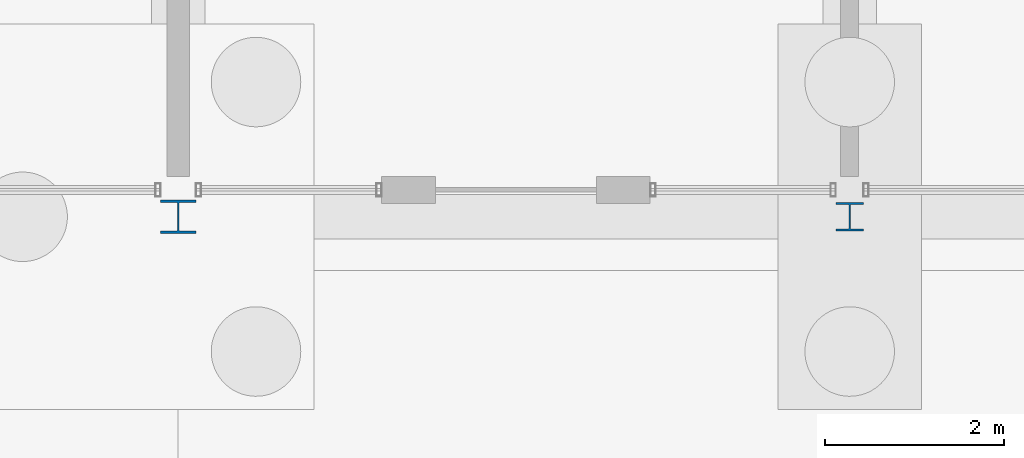
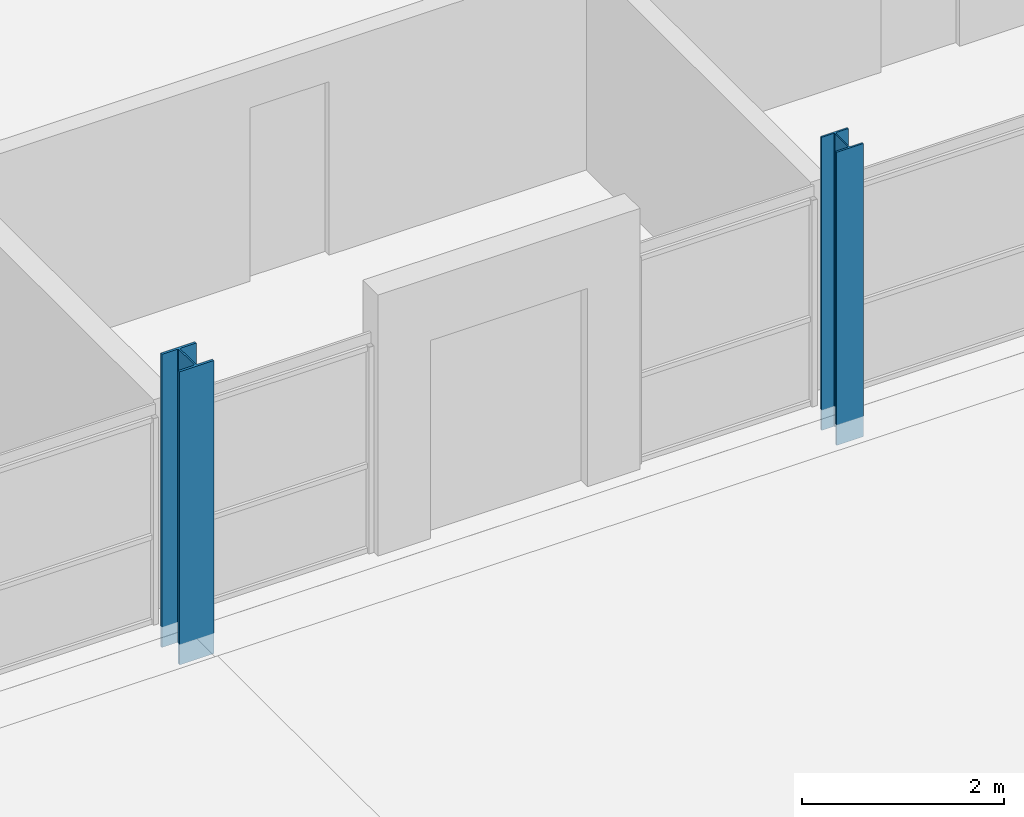
# One storey, part 33 of 130: 2 columns.
"""IFC4 building model written with IfcOpenShell, lengths in metres."""

from ifc_helpers import new_model, si_unit, direction, frame, origin, origin_2d, place, context, subcontext, project, spatial, i_section, extrude, material, material_profile, profile_set, type_object, element, save


model = new_model("IFC4")

# Units and contexts
model_context = context("Model", 3, precision=1e-05, world=origin(), true_north=direction((0.0, 1.0)))
body_context = subcontext(model_context, "Body", "Model", "MODEL_VIEW")
ifc_project = project(units=[si_unit("LENGTHUNIT", "METRE"), si_unit("AREAUNIT", "SQUARE_METRE"), si_unit("VOLUMEUNIT", "CUBIC_METRE"), si_unit("PLANEANGLEUNIT", "RADIAN"), si_unit("MASSUNIT", "GRAM", prefix="KILO")], contexts=[model_context])

# Site, building, storey
site_placement = place(None, origin())
site = spatial("IfcSite", under=ifc_project, at=site_placement, CompositionType="ELEMENT")
building_placement = place(site_placement, origin())
building = spatial("IfcBuilding", under=site, at=building_placement, Name="Parallax Yard Mobility Hub", CompositionType="ELEMENT")
storey_placement = place(building_placement, origin())
storey = spatial("IfcBuildingStorey", under=building, at=storey_placement, Name="L00", CompositionType="ELEMENT", Elevation=0.0)

# Columns
ifc_material = material(Name="Steel ASTM A992", Category="steel")
ifc_material_profile_1 = material_profile(ifc_material, i_section(OverallWidth=0.306884765625, OverallDepth=0.318115234375, WebThickness=0.01318359375, FlangeThickness=0.0205078125, FilletRadius=0.01513671875, at=origin_2d()), Name="W310x129")
ifc_profile_set_1 = profile_set([ifc_material_profile_1], Name="Steel ASTM A992")
column_type_1 = type_object("IfcColumnType", Name="W310x129 column", PredefinedType="COLUMN", material=ifc_profile_set_1)
column_1_placement = place(storey_placement, frame((157.5, 112.5, -0.25), z_axis=(0.0, 0.0, 1.0), x_axis=(1.0, 0.0, 0.0)))
element("IfcColumn", 1, at=column_1_placement, inside=storey, type_object=column_type_1, Name="Column C3 level L00 at R/22 of ramped parking decks", PredefinedType="COLUMN", context=body_context, shape_type="SweptSolid", body=[
    extrude(i_section(OverallWidth=0.306884765625, OverallDepth=0.318115234375, WebThickness=0.01318359375, FlangeThickness=0.0205078125, FilletRadius=0.01513671875, at=origin_2d()), origin(), (0.0, 0.0, 1.0), 3.550048828125),
])
ifc_material_profile_2 = material_profile(ifc_material, i_section(OverallWidth=0.39404296875, OverallDepth=0.3759765625, WebThickness=0.017333984375, FlangeThickness=0.027587890625, FilletRadius=0.01513671875, at=origin_2d()), Name="W360x216")
ifc_profile_set_2 = profile_set([ifc_material_profile_2], Name="Steel ASTM A992")
column_type_2 = type_object("IfcColumnType", Name="W360x216 column", PredefinedType="COLUMN", material=ifc_profile_set_2)
column_2_placement = place(storey_placement, frame((150.0, 112.5, -0.25), z_axis=(0.0, 0.0, 1.0), x_axis=(1.0, 0.0, 0.0)))
element("IfcColumn", 2, at=column_2_placement, inside=storey, type_object=column_type_2, Name="Column C9 level L00 at R/21 of ramped parking decks", PredefinedType="COLUMN", context=body_context, shape_type="SweptSolid", body=[
    extrude(i_section(OverallWidth=0.39404296875, OverallDepth=0.3759765625, WebThickness=0.017333984375, FlangeThickness=0.027587890625, FilletRadius=0.01513671875, at=origin_2d()), origin(), (0.0, 0.0, 1.0), 3.550048828125),
])

save(model, "model.ifc")
